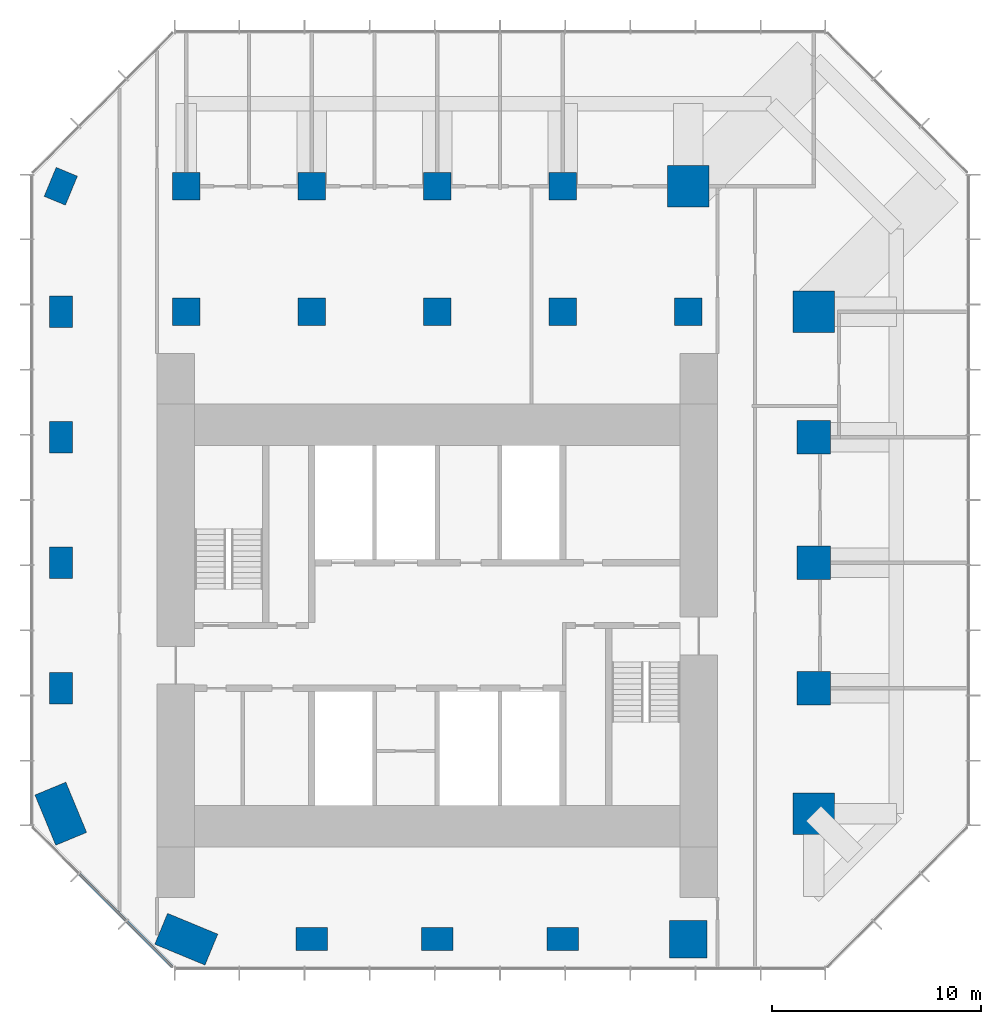
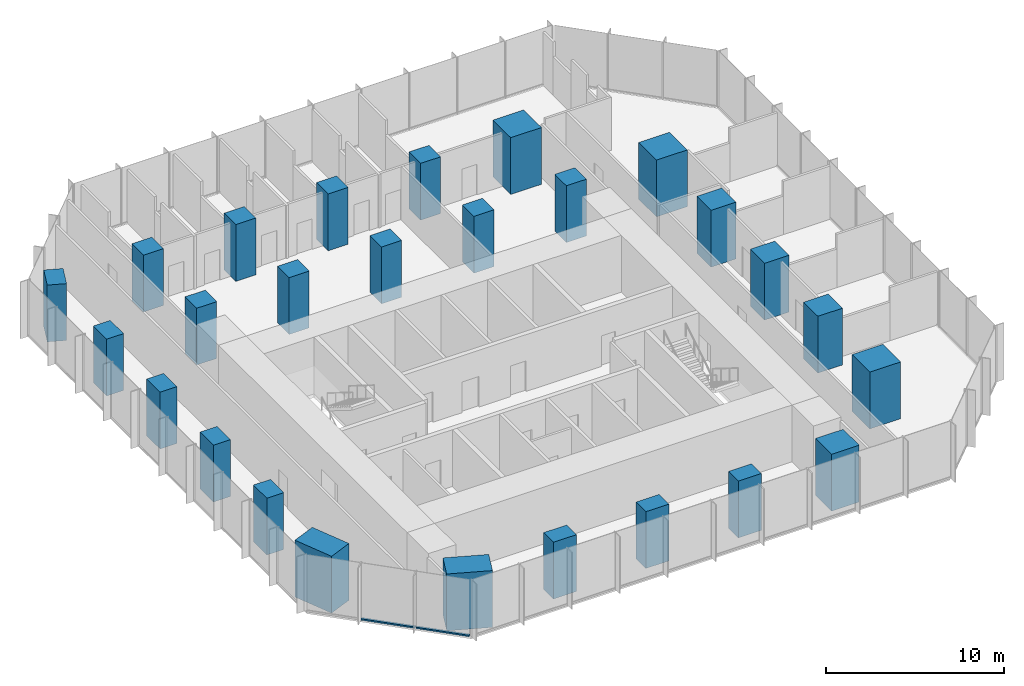
# One storey, part 1 of 11: 26 columns, 2 members, 1 element without a shape of its own.
"""IFC4 building model written with IfcOpenShell, lengths in metres."""

from ifc_helpers import new_model, si_unit, direction, frame, origin, origin_2d, place, context, subcontext, project, spatial, rectangle, extrude, material, layer, layer_set, material_profile, profile_set, type_object, element, aggregate, save


model = new_model("IFC4")

# Units and contexts
model_context = context("Model", 3, precision=1e-05, world=origin(), true_north=direction((0.0, 1.0)))
body_context = subcontext(model_context, "Body", "Model", "MODEL_VIEW")
ifc_project = project(units=[si_unit("LENGTHUNIT", "METRE"), si_unit("AREAUNIT", "SQUARE_METRE"), si_unit("VOLUMEUNIT", "CUBIC_METRE"), si_unit("PLANEANGLEUNIT", "RADIAN"), si_unit("MASSUNIT", "GRAM", prefix="KILO")], contexts=[model_context])

# Site, building, storey
site_placement = place(None, origin())
site = spatial("IfcSite", under=ifc_project, at=site_placement, CompositionType="ELEMENT")
building_placement = place(site_placement, origin())
building = spatial("IfcBuilding", under=site, at=building_placement, Name="Highveld Stack Headquarters", CompositionType="ELEMENT")
storey_placement = place(building_placement, frame((0.0, 0.0, 173.300048828125)))
storey = spatial("IfcBuildingStorey", under=building, at=storey_placement, Name="L42", CompositionType="ELEMENT", Elevation=173.300048828125)

# Columns
ifc_material_1 = material(Name="Concrete C60/75", Category="concrete")
ifc_material_profile_1 = material_profile(ifc_material_1, rectangle(XDim=1.300048828125, YDim=1.300048828125, at=origin_2d()), Name="RC 1300x1300")
ifc_profile_set_1 = profile_set([ifc_material_profile_1], Name="Concrete C60/75")
column_type_1 = type_object("IfcColumnType", Name="COLUMN RC 1300x1300 C60/75", PredefinedType="COLUMN", material=ifc_profile_set_1)
for number, where, z_axis, x_axis, name in (
    (1, (-6.0, 18.0, 0.0), (0.0, 0.0, 1.0), (1.0, 0.0, 0.0), "Column 5/H L42"),
    (2, (-6.0, 24.0, 0.0), (0.0, 0.0, 1.0), (1.0, 0.0, 0.0), "Column 5/J L42"),
    (3, (0.0, 18.0, 0.0), (0.0, 0.0, 1.0), (1.0, 0.0, 0.0), "Column 6/H L42"),
    (4, (0.0, 24.0, 0.0), (0.0, 0.0, 1.0), (1.0, 0.0, 0.0), "Column 6/J L42"),
    (5, (6.0, 18.0, 0.0), (0.0, 0.0, 1.0), (1.0, 0.0, 0.0), "Column 7/H L42"),
    (6, (6.0, 24.0, 0.0), (0.0, 0.0, 1.0), (1.0, 0.0, 0.0), "Column 7/J L42"),
    (7, (12.0, 18.0, 0.0), (0.0, 0.0, 1.0), (1.0, 0.0, 0.0), "Column 8/H L42"),
    (8, (12.0, 24.0, 0.0), (0.0, 0.0, 1.0), (1.0, 0.0, 0.0), "Column 8/J L42"),
    (9, (18.0, 18.0, 0.0), (0.0, 0.0, 1.0), (1.0, 0.0, 0.0), "Column 9/H L42"),
):
    element("IfcColumn", number, at=place(storey_placement, frame(where, z_axis=z_axis, x_axis=x_axis)), inside=storey, type_object=column_type_1, Name=name, PredefinedType="COLUMN", context=body_context, shape_type="SweptSolid", body=[
        extrude(rectangle(XDim=1.300048828125, YDim=1.300048828125, at=origin_2d()), origin(), (0.0, 0.0, 1.0), 3.89990234375),
    ])
ifc_material_2 = material(Name="Concrete C60/75", Category="concrete")
ifc_material_profile_2 = material_profile(ifc_material_2, rectangle(XDim=1.5, YDim=1.10009765625, at=origin_2d()), Name="RC 1500x1100")
ifc_profile_set_2 = profile_set([ifc_material_profile_2], Name="Concrete C60/75")
column_type_2 = type_object("IfcColumnType", Name="COLUMN RC 1500x1100 C60/75", PredefinedType="COLUMN", material=ifc_profile_set_2)
for number, where, z_axis, x_axis, name in (
    (10, (-12.0, 0.0, 0.0), (0.0, 0.0, 1.0), (0.0, 1.0, 0.0), "Column 4/E L42"),
    (11, (-12.0, 6.0, 0.0), (0.0, 0.0, 1.0), (0.0, 1.0, 0.0), "Column 4/F L42"),
    (12, (-12.0, 12.0, 0.0), (0.0, 0.0, 1.0), (0.0, 1.0, 0.0), "Column 4/G L42"),
    (13, (-12.0, 18.0, 0.0), (0.0, 0.0, 1.0), (0.0, 1.0, 0.0), "Column 4/H L42"),
    (14, (-12.0, 24.0, 0.0), (0.0, 0.0, 1.0), (0.382683432365, 0.923879532511, 0.0), "Column 4/J L42"),
    (15, (0.0, -12.0, 0.0), (0.0, 0.0, 1.0), (1.0, 0.0, 0.0), "Column 6/C L42"),
    (16, (6.0, -12.0, 0.0), (0.0, 0.0, 1.0), (1.0, 0.0, 0.0), "Column 7/C L42"),
    (17, (12.0, -12.0, 0.0), (0.0, 0.0, 1.0), (1.0, 0.0, 0.0), "Column 8/C L42"),
):
    element("IfcColumn", number, at=place(storey_placement, frame(where, z_axis=z_axis, x_axis=x_axis)), inside=storey, type_object=column_type_2, Name=name, PredefinedType="COLUMN", context=body_context, shape_type="SweptSolid", body=[
        extrude(rectangle(XDim=1.5, YDim=1.10009765625, at=origin_2d()), origin(), (0.0, 0.0, 1.0), 3.89990234375),
    ])
ifc_material_3 = material(Name="Concrete C60/75", Category="concrete")
ifc_material_profile_3 = material_profile(ifc_material_3, rectangle(XDim=1.60009765625, YDim=1.60009765625, at=origin_2d()), Name="RC 1600x1600")
ifc_profile_set_3 = profile_set([ifc_material_profile_3], Name="Concrete C60/75")
column_type_3 = type_object("IfcColumnType", Name="COLUMN RC 1600x1600 C60/75", PredefinedType="COLUMN", material=ifc_profile_set_3)
for number, where, z_axis, x_axis, name in (
    (18, (24.0, 0.0, 0.0), (0.0, 0.0, 1.0), (1.0, 0.0, 0.0), "Column 10/E L42"),
    (19, (24.0, 6.0, 0.0), (0.0, 0.0, 1.0), (1.0, 0.0, 0.0), "Column 10/F L42"),
    (20, (24.0, 12.0, 0.0), (0.0, 0.0, 1.0), (1.0, 0.0, 0.0), "Column 10/G L42"),
):
    element("IfcColumn", number, at=place(storey_placement, frame(where, z_axis=z_axis, x_axis=x_axis)), inside=storey, type_object=column_type_3, Name=name, PredefinedType="COLUMN", context=body_context, shape_type="SweptSolid", body=[
        extrude(rectangle(XDim=1.60009765625, YDim=1.60009765625, at=origin_2d()), origin(), (0.0, 0.0, 1.0), 3.89990234375),
    ])
ifc_material_4 = material(Name="Concrete C60/75", Category="concrete")
ifc_material_profile_4 = material_profile(ifc_material_4, rectangle(XDim=1.800048828125, YDim=1.800048828125, at=origin_2d()), Name="RC 1800x1800")
ifc_profile_set_4 = profile_set([ifc_material_profile_4], Name="Concrete C60/75")
column_type_4 = type_object("IfcColumnType", Name="COLUMN RC 1800x1800 C60/75", PredefinedType="COLUMN", material=ifc_profile_set_4)
column_placement = place(storey_placement, frame((18.0, -12.0, 0.0), z_axis=(0.0, 0.0, 1.0), x_axis=(1.0, 0.0, 0.0)))
element("IfcColumn", 21, at=column_placement, inside=storey, type_object=column_type_4, Name="Column 9/C L42", PredefinedType="COLUMN", context=body_context, shape_type="SweptSolid", body=[
    extrude(rectangle(XDim=1.800048828125, YDim=1.800048828125, at=origin_2d()), origin(), (0.0, 0.0, 1.0), 3.89990234375),
])
ifc_material_5 = material(Name="Concrete C60/75", Category="concrete")
ifc_material_profile_5 = material_profile(ifc_material_5, rectangle(XDim=2.0, YDim=2.0, at=origin_2d()), Name="RC 2000x2000")
ifc_profile_set_5 = profile_set([ifc_material_profile_5], Name="Concrete C60/75")
column_type_5 = type_object("IfcColumnType", Name="COLUMN RC 2000x2000 C60/75", PredefinedType="COLUMN", material=ifc_profile_set_5)
for number, where, z_axis, x_axis, name in (
    (22, (18.0, 24.0, 0.0), (0.0, 0.0, 1.0), (1.0, 0.0, 0.0), "Column 9/J L42"),
    (23, (24.0, -6.0, 0.0), (0.0, 0.0, 1.0), (1.0, 0.0, 0.0), "Column 10/D L42"),
    (24, (24.0, 18.0, 0.0), (0.0, 0.0, 1.0), (1.0, 0.0, 0.0), "Column 10/H L42"),
):
    element("IfcColumn", number, at=place(storey_placement, frame(where, z_axis=z_axis, x_axis=x_axis)), inside=storey, type_object=column_type_5, Name=name, PredefinedType="COLUMN", context=body_context, shape_type="SweptSolid", body=[
        extrude(rectangle(XDim=2.0, YDim=2.0, at=origin_2d()), origin(), (0.0, 0.0, 1.0), 3.89990234375),
    ])
ifc_material_6 = material(Name="Concrete C60/75", Category="concrete")
ifc_material_profile_6 = material_profile(ifc_material_6, rectangle(XDim=2.60009765625, YDim=1.60009765625, at=origin_2d()), Name="RC 2600x1600")
ifc_profile_set_6 = profile_set([ifc_material_profile_6], Name="Concrete C60/75")
column_type_6 = type_object("IfcColumnType", Name="COLUMN RC 2600x1600 C60/75", PredefinedType="COLUMN", material=ifc_profile_set_6)
for number, where, z_axis, x_axis, name in (
    (25, (-12.0, -6.0, 0.0), (0.0, 0.0, 1.0), (-0.382683432365, 0.923879532511, 0.0), "Column 4/D L42"),
    (26, (-6.0, -12.0, 0.0), (0.0, 0.0, 1.0), (-0.923879532511, 0.382683432365, 0.0), "Column 5/C L42"),
):
    element("IfcColumn", number, at=place(storey_placement, frame(where, z_axis=z_axis, x_axis=x_axis)), inside=storey, type_object=column_type_6, Name=name, PredefinedType="COLUMN", context=body_context, shape_type="SweptSolid", body=[
        extrude(rectangle(XDim=2.60009765625, YDim=1.60009765625, at=origin_2d()), origin(), (0.0, 0.0, 1.0), 3.89990234375),
    ])

# Curtain wall, members
ifc_material_7 = material(Name="Aluminium bronze anodised", Category="aluminium")
ifc_layer = layer(ifc_material_7, 0.199951171875)
ifc_layer_set = layer_set([ifc_layer], Name="Aluminium bronze anodised")
curtain_wall_type = type_object("IfcCurtainWallType", Name="CW2 TOWER CHAMFER UNITISED CURTAIN WALL", PredefinedType="NOTDEFINED", material=ifc_layer_set)
curtain_wall_placement = place(storey_placement, origin())
curtain_wall = element("IfcCurtainWall", 27, at=curtain_wall_placement, inside=storey, type_object=curtain_wall_type, Name="Curtain wall CW2 L42 SW", PredefinedType="NOTDEFINED")
ifc_material_8 = material(Name="Aluminium bronze anodised", Category="aluminium")
ifc_material_profile_7 = material_profile(ifc_material_8, rectangle(XDim=0.14990234375, YDim=0.10009765625, at=origin_2d()), Name="CW2 TRANSOM 150x100")
ifc_profile_set_7 = profile_set([ifc_material_profile_7], Name="Aluminium bronze anodised")
member_type = type_object("IfcMemberType", Name="CW2 STACK TRANSOM 150x100", PredefinedType="USERDEFINED", material=ifc_profile_set_7)
member_1_placement = place(storey_placement, frame((-11.103759765625, -8.876220703125, 0.050048828125), z_axis=(0.707106781187, -0.707106781187, 0.0), x_axis=(0.707106781187, 0.707106781187, 0.0)))
member_1 = element("IfcMember", 28, at=member_1_placement, type_object=member_type, Name="CW2 transom L42 2.1", ObjectType="TRANSOM", PredefinedType="USERDEFINED", context=body_context, shape_type="SweptSolid", body=[
    extrude(rectangle(XDim=0.14990234375, YDim=0.10009765625, at=origin_2d()), origin(), (0.0, 0.0, 1.0), 3.150146484375),
])
member_2_placement = place(storey_placement, frame((-8.830322265625, -11.149658203125, 0.050048828125), z_axis=(0.707106781187, -0.707106781187, 0.0), x_axis=(0.707106781187, 0.707106781187, 0.0)))
member_2 = element("IfcMember", 29, at=member_2_placement, type_object=member_type, Name="CW2 transom L42 3.1", ObjectType="TRANSOM", PredefinedType="USERDEFINED", context=body_context, shape_type="SweptSolid", body=[
    extrude(rectangle(XDim=0.14990234375, YDim=0.10009765625, at=origin_2d()), origin(), (0.0, 0.0, 1.0), 3.08251953125),
])
aggregate(curtain_wall, [member_1, member_2])

save(model, "model.ifc")
